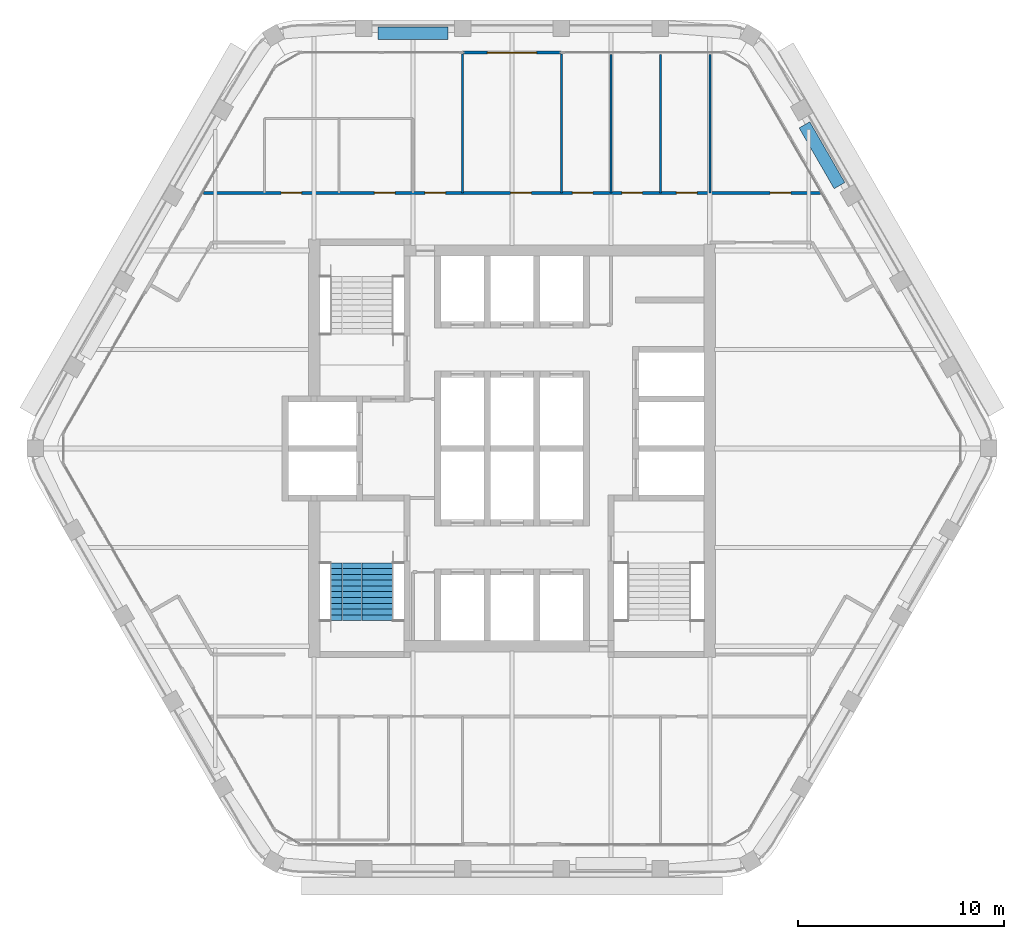
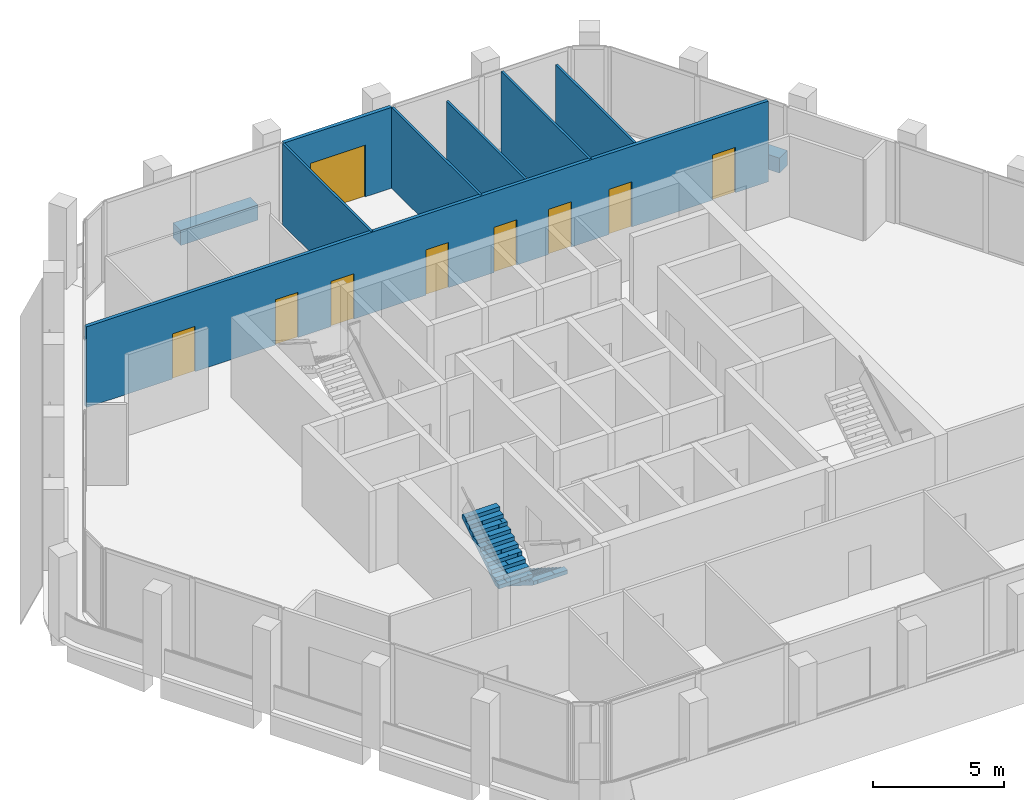
# One storey, part 10 of 13: 9 doors, 9 walls, 2 stair flights, 9 openings, 1 element without a shape of its own.
"""IFC4 building model written with IfcOpenShell, lengths in metres."""

from ifc_helpers import new_model, si_unit, direction, frame, frame_2d, origin, place, context, subcontext, project, spatial, polyline, rectangle, outline, extrude, material, layer, layer_set, type_object, element, fill, aggregate, save


model = new_model("IFC4")

# Units and contexts
model_context = context("Model", 3, precision=1e-05, world=origin(), true_north=direction((0.0, 1.0)))
body_context = subcontext(model_context, "Body", "Model", "MODEL_VIEW")
ifc_project = project(units=[si_unit("LENGTHUNIT", "METRE"), si_unit("AREAUNIT", "SQUARE_METRE"), si_unit("VOLUMEUNIT", "CUBIC_METRE"), si_unit("PLANEANGLEUNIT", "RADIAN"), si_unit("MASSUNIT", "GRAM", prefix="KILO")], contexts=[model_context])

# Site, building, storey
site_placement = place(None, origin())
site = spatial("IfcSite", under=ifc_project, at=site_placement, CompositionType="ELEMENT")
building_placement = place(site_placement, origin())
building = spatial("IfcBuilding", under=site, at=building_placement, Name="Kolab Exchange Tower", CompositionType="ELEMENT")
storey_placement = place(building_placement, frame((0.0, 0.0, 226.699951171875)))
storey = spatial("IfcBuildingStorey", under=building, at=storey_placement, Name="L49", CompositionType="ELEMENT", Elevation=226.699951171875)

# Wall, opening, door
ifc_material_1 = material(Name="Aluminium EN AW-6063 T6", Category="aluminium")
ifc_layer_1 = layer(ifc_material_1, 0.159912109375)
ifc_layer_set_1 = layer_set([ifc_layer_1], Name="Aluminium EN AW-6063 T6")
wall_type_1 = type_object("IfcWallType", Name="DOOR SURROUND WALL 160 ALUMINIUM FRAMED", PredefinedType="PARTITIONING", material=ifc_layer_set_1)
wall_1_placement = place(storey_placement, frame((-2.3701171875, 19.20458984375, 0.0), z_axis=(0.0, 0.0, 1.0), x_axis=(1.0, 0.0, 0.0)))
wall_1 = element("IfcWall", 1, at=wall_1_placement, inside=storey, type_object=wall_type_1, Name="Door surround wall", PredefinedType="PARTITIONING", context=body_context, shape_type="SweptSolid", body=[
    extrude(rectangle(XDim=4.740234375, YDim=0.159912109375, at=frame_2d((2.3701171875, 0.0))), origin(), (0.0, 0.0, 1.0), 3.75),
])
opening_1_placement = place(wall_1_placement, frame((1.169921875, 0.0, 0.0)))
opening_1 = element("IfcOpeningElement", 2, at=opening_1_placement, cuts=wall_1, Name="Opening GD1-089", PredefinedType="OPENING", context=body_context, shape_type="SweptSolid", body=[
    extrude(rectangle(XDim=2.39990234375, YDim=2.39990234375, at=frame_2d((1.199951171875, 1.199951171875))), frame((0.0, 0.08984375, 0.0), z_axis=(0.0, -1.0, 0.0), x_axis=(1.0, 0.0, 0.0)), (0.0, 0.0, 1.0), 0.179931640625),
])
door_type_1 = type_object("IfcDoorType", Name="LOGGIA SLIDING GLASS DOOR 2400 X 2400", OperationType="DOUBLE_DOOR_SINGLE_SWING", PredefinedType="DOOR", material=ifc_material_1)
door_1_placement = place(opening_1_placement, origin())
door_1 = element("IfcDoor", 3, at=door_1_placement, inside=storey, type_object=door_type_1, Name="Loggia door", OperationType="DOUBLE_DOOR_SLIDING", OverallHeight=2.39990234375, OverallWidth=2.39990234375, PredefinedType="DOOR", context=body_context, shape_type="SweptSolid", body=[
    extrude(rectangle(XDim=2.39990234375, YDim=2.39990234375, at=frame_2d((1.199951171875, 1.199951171875))), frame((0.0, 0.02490234375, 0.0), z_axis=(0.0, -1.0, 0.0), x_axis=(1.0, 0.0, 0.0)), (0.0, 0.0, 1.0), 0.050048828125),
])
fill(opening_1, door_1)

# Walls
ifc_material_2 = material(Name="Gypsum board", Category="gypsum")
ifc_layer_2 = layer(ifc_material_2, 0.10009765625)
ifc_layer_set_2 = layer_set([ifc_layer_2], Name="Gypsum board")
wall_type_2 = type_object("IfcWallType", Name="PARTITION 100", PredefinedType="PARTITIONING", material=ifc_layer_set_2)
wall_2_placement = place(storey_placement, frame((9.60009765625, 12.39990234375, 0.0), z_axis=(0.0, 0.0, 1.0), x_axis=(0.0, 1.0, 0.0)))
element("IfcWall", 4, at=wall_2_placement, inside=storey, type_object=wall_type_2, Name="Partition 000", PredefinedType="PARTITIONING", context=body_context, shape_type="SweptSolid", body=[
    extrude(rectangle(XDim=6.714599609375, YDim=0.10009765625, at=frame_2d((3.357421875, 0.0))), origin(), (0.0, 0.0, 1.0), 3.217041015625),
])
wall_3_placement = place(storey_placement, frame((7.199951171875, 12.39990234375, 0.0), z_axis=(0.0, 0.0, 1.0), x_axis=(0.0, 1.0, 0.0)))
element("IfcWall", 5, at=wall_3_placement, inside=storey, type_object=wall_type_2, Name="Partition 002", PredefinedType="PARTITIONING", context=body_context, shape_type="SweptSolid", body=[
    extrude(rectangle(XDim=6.714599609375, YDim=0.10009765625, at=frame_2d((3.357421875, 0.0))), origin(), (0.0, 0.0, 1.0), 3.75),
])
wall_4_placement = place(storey_placement, frame((4.800048828125, 12.39990234375, 0.0), z_axis=(0.0, 0.0, 1.0), x_axis=(0.0, 1.0, 0.0)))
element("IfcWall", 6, at=wall_4_placement, inside=storey, type_object=wall_type_2, Name="Partition 003", PredefinedType="PARTITIONING", context=body_context, shape_type="SweptSolid", body=[
    extrude(rectangle(XDim=6.714599609375, YDim=0.10009765625, at=frame_2d((3.357421875, 0.0))), origin(), (0.0, 0.0, 1.0), 3.217041015625),
])
for number, where, z_axis, x_axis, name in (
    (7, (2.39990234375, 12.39990234375, 0.0), (0.0, 0.0, 1.0), (0.0, 1.0, 0.0), "Partition 005"),
    (8, (-2.39990234375, 12.39990234375, 0.0), (0.0, 0.0, 1.0), (0.0, 1.0, 0.0), "Partition 007"),
):
    element("IfcWall", number, at=place(storey_placement, frame(where, z_axis=z_axis, x_axis=x_axis)), inside=storey, type_object=wall_type_2, Name=name, PredefinedType="PARTITIONING", context=body_context, shape_type="SweptSolid", body=[
        extrude(rectangle(XDim=6.724609375, YDim=0.10009765625, at=frame_2d((3.3623046875, 0.0))), origin(), (0.0, 0.0, 1.0), 3.75),
    ])

# Wall, openings, doors
ifc_layer_3 = layer(ifc_material_2, 0.14990234375)
ifc_layer_set_3 = layer_set([ifc_layer_3], Name="Gypsum board")
wall_type_3 = type_object("IfcWallType", Name="PARTITION 150 FIRE-RATED", PredefinedType="PARTITIONING", material=ifc_layer_set_3)
wall_5_placement = place(storey_placement, frame((-14.97021484375, 12.39990234375, 0.0), z_axis=(0.0, 0.0, 1.0), x_axis=(1.0, 0.0, 0.0)))
wall_5 = element("IfcWall", 9, at=wall_5_placement, inside=storey, type_object=wall_type_3, Name="Partition 030", PredefinedType="PARTITIONING", context=body_context, shape_type="SweptSolid", body=[
    extrude(rectangle(XDim=29.9404296875, YDim=0.14990234375, at=frame_2d((14.97021484375, 0.0))), origin(), (0.0, 0.0, 1.0), 3.75),
])
opening_2_placement = place(wall_5_placement, frame((3.770263671875, 0.0, 0.0)))
opening_2 = element("IfcOpeningElement", 10, at=opening_2_placement, cuts=wall_5, Name="Opening D1-643", PredefinedType="OPENING", context=body_context, shape_type="SweptSolid", body=[
    extrude(rectangle(XDim=1.0, YDim=2.10009765625, at=frame_2d((0.5, 1.050048828125))), frame((0.0, 0.0849609375, 0.0), z_axis=(0.0, -1.0, 0.0), x_axis=(1.0, 0.0, 0.0)), (0.0, 0.0, 1.0), 0.169921875),
])
opening_3_placement = place(wall_5_placement, frame((8.295166015625, 0.0, 0.0)))
opening_3 = element("IfcOpeningElement", 11, at=opening_3_placement, cuts=wall_5, Name="Opening D1-644", PredefinedType="OPENING", context=body_context, shape_type="SweptSolid", body=[
    extrude(rectangle(XDim=1.0, YDim=2.10009765625, at=frame_2d((0.5, 1.050048828125))), frame((0.0, 0.0849609375, 0.0), z_axis=(0.0, -1.0, 0.0), x_axis=(1.0, 0.0, 0.0)), (0.0, 0.0, 1.0), 0.169921875),
])
opening_4_placement = place(wall_5_placement, frame((10.7451171875, 0.0, 0.0)))
opening_4 = element("IfcOpeningElement", 12, at=opening_4_placement, cuts=wall_5, Name="Opening D1-645", PredefinedType="OPENING", context=body_context, shape_type="SweptSolid", body=[
    extrude(rectangle(XDim=1.0, YDim=2.10009765625, at=frame_2d((0.5, 1.050048828125))), frame((0.0, 0.0849609375, 0.0), z_axis=(0.0, -1.0, 0.0), x_axis=(1.0, 0.0, 0.0)), (0.0, 0.0, 1.0), 0.169921875),
])
opening_5_placement = place(wall_5_placement, frame((14.9052734375, 0.0, 0.0)))
opening_5 = element("IfcOpeningElement", 13, at=opening_5_placement, cuts=wall_5, Name="Opening D1-646", PredefinedType="OPENING", context=body_context, shape_type="SweptSolid", body=[
    extrude(rectangle(XDim=1.0, YDim=2.10009765625, at=frame_2d((0.5, 1.050048828125))), frame((0.0, 0.0849609375, 0.0), z_axis=(0.0, -1.0, 0.0), x_axis=(1.0, 0.0, 0.0)), (0.0, 0.0, 1.0), 0.169921875),
])
opening_6_placement = place(wall_5_placement, frame((17.895263671875, 0.0, 0.0)))
opening_6 = element("IfcOpeningElement", 14, at=opening_6_placement, cuts=wall_5, Name="Opening D1-647", PredefinedType="OPENING", context=body_context, shape_type="SweptSolid", body=[
    extrude(rectangle(XDim=1.0, YDim=2.10009765625, at=frame_2d((0.5, 1.050048828125))), frame((0.0, 0.0849609375, 0.0), z_axis=(0.0, -1.0, 0.0), x_axis=(1.0, 0.0, 0.0)), (0.0, 0.0, 1.0), 0.169921875),
])
opening_7_placement = place(wall_5_placement, frame((20.295166015625, 0.0, 0.0)))
opening_7 = element("IfcOpeningElement", 15, at=opening_7_placement, cuts=wall_5, Name="Opening D1-648", PredefinedType="OPENING", context=body_context, shape_type="SweptSolid", body=[
    extrude(rectangle(XDim=1.0, YDim=2.10009765625, at=frame_2d((0.5, 1.050048828125))), frame((0.0, 0.0849609375, 0.0), z_axis=(0.0, -1.0, 0.0), x_axis=(1.0, 0.0, 0.0)), (0.0, 0.0, 1.0), 0.169921875),
])
opening_8_placement = place(wall_5_placement, frame((22.9453125, 0.0, 0.0)))
opening_8 = element("IfcOpeningElement", 16, at=opening_8_placement, cuts=wall_5, Name="Opening D1-649", PredefinedType="OPENING", context=body_context, shape_type="SweptSolid", body=[
    extrude(rectangle(XDim=1.0, YDim=2.10009765625, at=frame_2d((0.5, 1.050048828125))), frame((0.0, 0.0849609375, 0.0), z_axis=(0.0, -1.0, 0.0), x_axis=(1.0, 0.0, 0.0)), (0.0, 0.0, 1.0), 0.169921875),
])
opening_9_placement = place(wall_5_placement, frame((27.49658203125, 0.0, 0.0)))
opening_9 = element("IfcOpeningElement", 17, at=opening_9_placement, cuts=wall_5, Name="Opening D1-650", PredefinedType="OPENING", context=body_context, shape_type="SweptSolid", body=[
    extrude(rectangle(XDim=1.0, YDim=2.10009765625, at=frame_2d((0.5, 1.050048828125))), frame((0.0, 0.0849609375, 0.0), z_axis=(0.0, -1.0, 0.0), x_axis=(1.0, 0.0, 0.0)), (0.0, 0.0, 1.0), 0.169921875),
])
ifc_material_3 = material(Name="Steel S235", Category="steel")
door_type_2 = type_object("IfcDoorType", Name="FLUSH DOOR 1000 FD60", OperationType="SINGLE_SWING_LEFT", PredefinedType="DOOR", material=ifc_material_3)
door_2_placement = place(opening_2_placement, origin())
door_2 = element("IfcDoor", 18, at=door_2_placement, inside=storey, type_object=door_type_2, Name="Door L49-029", OperationType="SINGLE_SWING_LEFT", OverallHeight=2.10009765625, OverallWidth=1.0, PredefinedType="DOOR", context=body_context, shape_type="SweptSolid", body=[
    extrude(rectangle(XDim=1.0, YDim=2.10009765625, at=frame_2d((0.5, 1.050048828125))), frame((0.0, 0.02490234375, 0.0), z_axis=(0.0, -1.0, 0.0), x_axis=(1.0, 0.0, 0.0)), (0.0, 0.0, 1.0), 0.050048828125),
])
fill(opening_2, door_2)
door_3_placement = place(opening_3_placement, origin())
door_3 = element("IfcDoor", 19, at=door_3_placement, inside=storey, type_object=door_type_2, Name="Door L49-030", OperationType="SINGLE_SWING_RIGHT", OverallHeight=2.10009765625, OverallWidth=1.0, PredefinedType="DOOR", context=body_context, shape_type="SweptSolid", body=[
    extrude(rectangle(XDim=1.0, YDim=2.10009765625, at=frame_2d((0.5, 1.050048828125))), frame((0.0, 0.02490234375, 0.0), z_axis=(0.0, -1.0, 0.0), x_axis=(1.0, 0.0, 0.0)), (0.0, 0.0, 1.0), 0.050048828125),
])
fill(opening_3, door_3)
door_4_placement = place(opening_4_placement, origin())
door_4 = element("IfcDoor", 20, at=door_4_placement, inside=storey, type_object=door_type_2, Name="Door L49-031", OperationType="SINGLE_SWING_LEFT", OverallHeight=2.10009765625, OverallWidth=1.0, PredefinedType="DOOR", context=body_context, shape_type="SweptSolid", body=[
    extrude(rectangle(XDim=1.0, YDim=2.10009765625, at=frame_2d((0.5, 1.050048828125))), frame((0.0, 0.02490234375, 0.0), z_axis=(0.0, -1.0, 0.0), x_axis=(1.0, 0.0, 0.0)), (0.0, 0.0, 1.0), 0.050048828125),
])
fill(opening_4, door_4)
door_5_placement = place(opening_5_placement, origin())
door_5 = element("IfcDoor", 21, at=door_5_placement, inside=storey, type_object=door_type_2, Name="Door L49-032", OperationType="SINGLE_SWING_RIGHT", OverallHeight=2.10009765625, OverallWidth=1.0, PredefinedType="DOOR", context=body_context, shape_type="SweptSolid", body=[
    extrude(rectangle(XDim=1.0, YDim=2.10009765625, at=frame_2d((0.5, 1.050048828125))), frame((0.0, 0.02490234375, 0.0), z_axis=(0.0, -1.0, 0.0), x_axis=(1.0, 0.0, 0.0)), (0.0, 0.0, 1.0), 0.050048828125),
])
fill(opening_5, door_5)
door_6_placement = place(opening_6_placement, origin())
door_6 = element("IfcDoor", 22, at=door_6_placement, inside=storey, type_object=door_type_2, Name="Door L49-033", OperationType="SINGLE_SWING_LEFT", OverallHeight=2.10009765625, OverallWidth=1.0, PredefinedType="DOOR", context=body_context, shape_type="SweptSolid", body=[
    extrude(rectangle(XDim=1.0, YDim=2.10009765625, at=frame_2d((0.5, 1.050048828125))), frame((0.0, 0.02490234375, 0.0), z_axis=(0.0, -1.0, 0.0), x_axis=(1.0, 0.0, 0.0)), (0.0, 0.0, 1.0), 0.050048828125),
])
fill(opening_6, door_6)
door_7_placement = place(opening_7_placement, origin())
door_7 = element("IfcDoor", 23, at=door_7_placement, inside=storey, type_object=door_type_2, Name="Door L49-034", OperationType="SINGLE_SWING_LEFT", OverallHeight=2.10009765625, OverallWidth=1.0, PredefinedType="DOOR", context=body_context, shape_type="SweptSolid", body=[
    extrude(rectangle(XDim=1.0, YDim=2.10009765625, at=frame_2d((0.5, 1.050048828125))), frame((0.0, 0.02490234375, 0.0), z_axis=(0.0, -1.0, 0.0), x_axis=(1.0, 0.0, 0.0)), (0.0, 0.0, 1.0), 0.050048828125),
])
fill(opening_7, door_7)
door_8_placement = place(opening_8_placement, origin())
door_8 = element("IfcDoor", 24, at=door_8_placement, inside=storey, type_object=door_type_2, Name="Door L49-035", OperationType="SINGLE_SWING_RIGHT", OverallHeight=2.10009765625, OverallWidth=1.0, PredefinedType="DOOR", context=body_context, shape_type="SweptSolid", body=[
    extrude(rectangle(XDim=1.0, YDim=2.10009765625, at=frame_2d((0.5, 1.050048828125))), frame((0.0, 0.02490234375, 0.0), z_axis=(0.0, -1.0, 0.0), x_axis=(1.0, 0.0, 0.0)), (0.0, 0.0, 1.0), 0.050048828125),
])
fill(opening_8, door_8)
door_9_placement = place(opening_9_placement, origin())
door_9 = element("IfcDoor", 25, at=door_9_placement, inside=storey, type_object=door_type_2, Name="Door L49-036", OperationType="SINGLE_SWING_RIGHT", OverallHeight=2.10009765625, OverallWidth=1.0, PredefinedType="DOOR", context=body_context, shape_type="SweptSolid", body=[
    extrude(rectangle(XDim=1.0, YDim=2.10009765625, at=frame_2d((0.5, 1.050048828125))), frame((0.0, 0.02490234375, 0.0), z_axis=(0.0, -1.0, 0.0), x_axis=(1.0, 0.0, 0.0)), (0.0, 0.0, 1.0), 0.050048828125),
])
fill(opening_9, door_9)

# Walls
ifc_material_4 = material(Name="Granite facing", Category="masonry")
ifc_layer_4 = layer(ifc_material_4, 0.0400390625)
ifc_material_5 = material(Name="Concrete C40/50 precast", Category="concrete")
ifc_layer_5 = layer(ifc_material_5, 0.56005859375)
ifc_layer_set_4 = layer_set([ifc_layer_4, ifc_layer_5], Name="Concrete C40/50 precast")
wall_type_4 = type_object("IfcWallType", Name="PLANTER BOX 600 X 700 SOIL DEPTH 550", PredefinedType="USERDEFINED", material=ifc_layer_set_4)
wall_6_placement = place(storey_placement, frame((-6.5, 20.134521484375, 0.0), z_axis=(0.0, 0.0, 1.0), x_axis=(1.0, 0.0, 0.0)))
element("IfcWall", 26, at=wall_6_placement, inside=storey, type_object=wall_type_4, Name="Planter", ObjectType="PLANTER", PredefinedType="USERDEFINED", context=body_context, shape_type="SweptSolid", body=[
    extrude(rectangle(XDim=3.39990234375, YDim=0.60009765625, at=frame_2d((1.699951171875, 0.0))), origin(), (0.0, 0.0, 1.0), 0.699951171875),
])
wall_7_placement = place(storey_placement, frame((14.18701171875, 15.696533203125, 0.0), z_axis=(0.0, 0.0, 1.0), x_axis=(0.499977295307, -0.866038511948, 0.0)))
element("IfcWall", 27, at=wall_7_placement, inside=storey, type_object=wall_type_4, Name="Planter", ObjectType="PLANTER", PredefinedType="USERDEFINED", context=body_context, shape_type="SweptSolid", body=[
    extrude(rectangle(XDim=3.400146484375, YDim=0.60009765625, at=frame_2d((1.7001953125, 0.0))), origin(), (0.0, 0.0, 1.0), 0.699951171875),
])

# Stair, stair flights
ifc_material_6 = material(Name="Concrete C50/60", Category="concrete")
stair_type = type_object("IfcStairType", Name="STAIR ST3 RISER 177.3", PredefinedType="HALF_TURN_STAIR", material=ifc_material_6)
stair_placement = place(storey_placement, origin())
stair = element("IfcStair", 28, at=stair_placement, inside=storey, type_object=stair_type, Name="Stair 3", PredefinedType="HALF_TURN_STAIR")
stair_flight_type = type_object("IfcStairFlightType", Name="STAIR FLIGHT 1500 RISER 177.3", PredefinedType="STRAIGHT", material=ifc_material_6)
stair_flight_1_placement = place(storey_placement, frame((-6.527587890625, -5.550048828125, 0.0), z_axis=(0.0, 0.0, 1.0), x_axis=(0.0, -1.0, 0.0)))
stair_flight_1 = element("IfcStairFlight", 29, at=stair_flight_1_placement, type_object=stair_flight_type, Name="ST3 flight 1", NumberOfRisers=11, NumberOfTreads=10, PredefinedType="STRAIGHT", RiserHeight=0.177272727, TreadLength=0.28, context=body_context, shape_type="SweptSolid", body=[
    extrude(outline(polyline([(0.0, 0.0), (0.0, 0.17724609375), (0.280029296875, 0.17724609375), (0.280029296875, 0.3544921875), (0.56005859375, 0.3544921875), (0.56005859375, 0.53173828125), (0.840087890625, 0.53173828125), (0.840087890625, 0.708984375), (1.1201171875, 0.708984375), (1.1201171875, 0.886474609375), (1.39990234375, 0.886474609375), (1.39990234375, 1.063720703125), (1.679931640625, 1.063720703125), (1.679931640625, 1.240966796875), (1.9599609375, 1.240966796875), (1.9599609375, 1.418212890625), (2.239990234375, 1.418212890625), (2.239990234375, 1.595458984375), (2.52001953125, 1.595458984375), (2.52001953125, 1.772705078125), (2.800048828125, 1.772705078125), (2.800048828125, 1.949951171875), (2.800048828125, 1.59521484375), (0.2802734375, 0.0), (0.0, 0.0)])), frame((0.0, 0.75, 0.0), z_axis=(0.0, -1.0, 0.0), x_axis=(1.0, 0.0, 0.0)), (0.0, 0.0, 1.0), 0.185791015625),
    extrude(outline(polyline([(0.0, 0.0), (0.0, 0.17724609375), (0.280029296875, 0.17724609375), (0.280029296875, 0.3544921875), (0.56005859375, 0.3544921875), (0.56005859375, 0.53173828125), (0.840087890625, 0.53173828125), (0.840087890625, 0.708984375), (1.1201171875, 0.708984375), (1.1201171875, 0.886474609375), (1.39990234375, 0.886474609375), (1.39990234375, 1.063720703125), (1.679931640625, 1.063720703125), (1.679931640625, 1.240966796875), (1.9599609375, 1.240966796875), (1.9599609375, 1.418212890625), (2.239990234375, 1.418212890625), (2.239990234375, 1.595458984375), (2.52001953125, 1.595458984375), (2.52001953125, 1.772705078125), (2.800048828125, 1.772705078125), (2.800048828125, 1.949951171875), (2.800048828125, 1.59521484375), (0.2802734375, 0.0), (0.0, 0.0)])), frame((0.0, 0.562255859375, 0.0), z_axis=(0.0, -1.0, 0.0), x_axis=(1.0, 0.0, 0.0)), (0.0, 0.0, 1.0), 0.185791015625),
    extrude(outline(polyline([(0.0, 0.0), (0.0, 0.17724609375), (0.280029296875, 0.17724609375), (0.280029296875, 0.3544921875), (0.56005859375, 0.3544921875), (0.56005859375, 0.53173828125), (0.840087890625, 0.53173828125), (0.840087890625, 0.708984375), (1.1201171875, 0.708984375), (1.1201171875, 0.886474609375), (1.39990234375, 0.886474609375), (1.39990234375, 1.063720703125), (1.679931640625, 1.063720703125), (1.679931640625, 1.240966796875), (1.9599609375, 1.240966796875), (1.9599609375, 1.418212890625), (2.239990234375, 1.418212890625), (2.239990234375, 1.595458984375), (2.52001953125, 1.595458984375), (2.52001953125, 1.772705078125), (2.800048828125, 1.772705078125), (2.800048828125, 1.949951171875), (2.800048828125, 1.59521484375), (0.2802734375, 0.0), (0.0, 0.0)])), frame((0.0, 0.37451171875, 0.0), z_axis=(0.0, -1.0, 0.0), x_axis=(1.0, 0.0, 0.0)), (0.0, 0.0, 1.0), 0.185791015625),
    extrude(outline(polyline([(0.0, 0.0), (0.0, 0.17724609375), (0.280029296875, 0.17724609375), (0.280029296875, 0.3544921875), (0.56005859375, 0.3544921875), (0.56005859375, 0.53173828125), (0.840087890625, 0.53173828125), (0.840087890625, 0.708984375), (1.1201171875, 0.708984375), (1.1201171875, 0.886474609375), (1.39990234375, 0.886474609375), (1.39990234375, 1.063720703125), (1.679931640625, 1.063720703125), (1.679931640625, 1.240966796875), (1.9599609375, 1.240966796875), (1.9599609375, 1.418212890625), (2.239990234375, 1.418212890625), (2.239990234375, 1.595458984375), (2.52001953125, 1.595458984375), (2.52001953125, 1.772705078125), (2.800048828125, 1.772705078125), (2.800048828125, 1.949951171875), (2.800048828125, 1.59521484375), (0.2802734375, 0.0), (0.0, 0.0)])), frame((0.0, 0.186767578125, 0.0), z_axis=(0.0, -1.0, 0.0), x_axis=(1.0, 0.0, 0.0)), (0.0, 0.0, 1.0), 0.185791015625),
    extrude(outline(polyline([(0.0, 0.0), (0.0, 0.17724609375), (0.280029296875, 0.17724609375), (0.280029296875, 0.3544921875), (0.56005859375, 0.3544921875), (0.56005859375, 0.53173828125), (0.840087890625, 0.53173828125), (0.840087890625, 0.708984375), (1.1201171875, 0.708984375), (1.1201171875, 0.886474609375), (1.39990234375, 0.886474609375), (1.39990234375, 1.063720703125), (1.679931640625, 1.063720703125), (1.679931640625, 1.240966796875), (1.9599609375, 1.240966796875), (1.9599609375, 1.418212890625), (2.239990234375, 1.418212890625), (2.239990234375, 1.595458984375), (2.52001953125, 1.595458984375), (2.52001953125, 1.772705078125), (2.800048828125, 1.772705078125), (2.800048828125, 1.949951171875), (2.800048828125, 1.59521484375), (0.2802734375, 0.0), (0.0, 0.0)])), frame((0.0, -0.0009765625, 0.0), z_axis=(0.0, -1.0, 0.0), x_axis=(1.0, 0.0, 0.0)), (0.0, 0.0, 1.0), 0.185791015625),
    extrude(outline(polyline([(0.0, 0.0), (0.0, 0.17724609375), (0.280029296875, 0.17724609375), (0.280029296875, 0.3544921875), (0.56005859375, 0.3544921875), (0.56005859375, 0.53173828125), (0.840087890625, 0.53173828125), (0.840087890625, 0.708984375), (1.1201171875, 0.708984375), (1.1201171875, 0.886474609375), (1.39990234375, 0.886474609375), (1.39990234375, 1.063720703125), (1.679931640625, 1.063720703125), (1.679931640625, 1.240966796875), (1.9599609375, 1.240966796875), (1.9599609375, 1.418212890625), (2.239990234375, 1.418212890625), (2.239990234375, 1.595458984375), (2.52001953125, 1.595458984375), (2.52001953125, 1.772705078125), (2.800048828125, 1.772705078125), (2.800048828125, 1.949951171875), (2.800048828125, 1.59521484375), (0.2802734375, 0.0), (0.0, 0.0)])), frame((0.0, -0.188720703125, 0.0), z_axis=(0.0, -1.0, 0.0), x_axis=(1.0, 0.0, 0.0)), (0.0, 0.0, 1.0), 0.185791015625),
    extrude(outline(polyline([(0.0, 0.0), (0.0, 0.17724609375), (0.280029296875, 0.17724609375), (0.280029296875, 0.3544921875), (0.56005859375, 0.3544921875), (0.56005859375, 0.53173828125), (0.840087890625, 0.53173828125), (0.840087890625, 0.708984375), (1.1201171875, 0.708984375), (1.1201171875, 0.886474609375), (1.39990234375, 0.886474609375), (1.39990234375, 1.063720703125), (1.679931640625, 1.063720703125), (1.679931640625, 1.240966796875), (1.9599609375, 1.240966796875), (1.9599609375, 1.418212890625), (2.239990234375, 1.418212890625), (2.239990234375, 1.595458984375), (2.52001953125, 1.595458984375), (2.52001953125, 1.772705078125), (2.800048828125, 1.772705078125), (2.800048828125, 1.949951171875), (2.800048828125, 1.59521484375), (0.2802734375, 0.0), (0.0, 0.0)])), frame((0.0, -0.37646484375, 0.0), z_axis=(0.0, -1.0, 0.0), x_axis=(1.0, 0.0, 0.0)), (0.0, 0.0, 1.0), 0.185791015625),
    extrude(outline(polyline([(0.0, 0.0), (0.0, 0.17724609375), (0.280029296875, 0.17724609375), (0.280029296875, 0.3544921875), (0.56005859375, 0.3544921875), (0.56005859375, 0.53173828125), (0.840087890625, 0.53173828125), (0.840087890625, 0.708984375), (1.1201171875, 0.708984375), (1.1201171875, 0.886474609375), (1.39990234375, 0.886474609375), (1.39990234375, 1.063720703125), (1.679931640625, 1.063720703125), (1.679931640625, 1.240966796875), (1.9599609375, 1.240966796875), (1.9599609375, 1.418212890625), (2.239990234375, 1.418212890625), (2.239990234375, 1.595458984375), (2.52001953125, 1.595458984375), (2.52001953125, 1.772705078125), (2.800048828125, 1.772705078125), (2.800048828125, 1.949951171875), (2.800048828125, 1.59521484375), (0.2802734375, 0.0), (0.0, 0.0)])), frame((0.0, -0.564208984375, 0.0), z_axis=(0.0, -1.0, 0.0), x_axis=(1.0, 0.0, 0.0)), (0.0, 0.0, 1.0), 0.185791015625),
])
stair_flight_2_placement = place(storey_placement, frame((-8.047607421875, -8.35009765625, 1.949951171875), z_axis=(0.0, 0.0, 1.0), x_axis=(0.0, 1.0, 0.0)))
stair_flight_2 = element("IfcStairFlight", 30, at=stair_flight_2_placement, type_object=stair_flight_type, Name="ST3 flight 2", NumberOfRisers=11, NumberOfTreads=10, PredefinedType="STRAIGHT", RiserHeight=0.177272727, TreadLength=0.28, context=body_context, shape_type="SweptSolid", body=[
    extrude(outline(polyline([(0.0, 0.0), (0.0, 0.17724609375), (0.280029296875, 0.17724609375), (0.280029296875, 0.3544921875), (0.56005859375, 0.3544921875), (0.56005859375, 0.53173828125), (0.840087890625, 0.53173828125), (0.840087890625, 0.708984375), (1.1201171875, 0.708984375), (1.1201171875, 0.886474609375), (1.39990234375, 0.886474609375), (1.39990234375, 1.063720703125), (1.679931640625, 1.063720703125), (1.679931640625, 1.240966796875), (1.9599609375, 1.240966796875), (1.9599609375, 1.418212890625), (2.239990234375, 1.418212890625), (2.239990234375, 1.595458984375), (2.52001953125, 1.595458984375), (2.52001953125, 1.772705078125), (2.800048828125, 1.772705078125), (2.800048828125, 1.949951171875), (2.800048828125, 1.59521484375), (0.2802734375, 0.0), (0.0, 0.0)])), frame((0.0, 0.75, 0.0), z_axis=(0.0, -1.0, 0.0), x_axis=(1.0, 0.0, 0.0)), (0.0, 0.0, 1.0), 0.185791015625),
    extrude(outline(polyline([(0.0, 0.0), (0.0, 0.17724609375), (0.280029296875, 0.17724609375), (0.280029296875, 0.3544921875), (0.56005859375, 0.3544921875), (0.56005859375, 0.53173828125), (0.840087890625, 0.53173828125), (0.840087890625, 0.708984375), (1.1201171875, 0.708984375), (1.1201171875, 0.886474609375), (1.39990234375, 0.886474609375), (1.39990234375, 1.063720703125), (1.679931640625, 1.063720703125), (1.679931640625, 1.240966796875), (1.9599609375, 1.240966796875), (1.9599609375, 1.418212890625), (2.239990234375, 1.418212890625), (2.239990234375, 1.595458984375), (2.52001953125, 1.595458984375), (2.52001953125, 1.772705078125), (2.800048828125, 1.772705078125), (2.800048828125, 1.949951171875), (2.800048828125, 1.59521484375), (0.2802734375, 0.0), (0.0, 0.0)])), frame((0.0, 0.562255859375, 0.0), z_axis=(0.0, -1.0, 0.0), x_axis=(1.0, 0.0, 0.0)), (0.0, 0.0, 1.0), 0.185791015625),
    extrude(outline(polyline([(0.0, 0.0), (0.0, 0.17724609375), (0.280029296875, 0.17724609375), (0.280029296875, 0.3544921875), (0.56005859375, 0.3544921875), (0.56005859375, 0.53173828125), (0.840087890625, 0.53173828125), (0.840087890625, 0.708984375), (1.1201171875, 0.708984375), (1.1201171875, 0.886474609375), (1.39990234375, 0.886474609375), (1.39990234375, 1.063720703125), (1.679931640625, 1.063720703125), (1.679931640625, 1.240966796875), (1.9599609375, 1.240966796875), (1.9599609375, 1.418212890625), (2.239990234375, 1.418212890625), (2.239990234375, 1.595458984375), (2.52001953125, 1.595458984375), (2.52001953125, 1.772705078125), (2.800048828125, 1.772705078125), (2.800048828125, 1.949951171875), (2.800048828125, 1.59521484375), (0.2802734375, 0.0), (0.0, 0.0)])), frame((0.0, 0.37451171875, 0.0), z_axis=(0.0, -1.0, 0.0), x_axis=(1.0, 0.0, 0.0)), (0.0, 0.0, 1.0), 0.185791015625),
    extrude(outline(polyline([(0.0, 0.0), (0.0, 0.17724609375), (0.280029296875, 0.17724609375), (0.280029296875, 0.3544921875), (0.56005859375, 0.3544921875), (0.56005859375, 0.53173828125), (0.840087890625, 0.53173828125), (0.840087890625, 0.708984375), (1.1201171875, 0.708984375), (1.1201171875, 0.886474609375), (1.39990234375, 0.886474609375), (1.39990234375, 1.063720703125), (1.679931640625, 1.063720703125), (1.679931640625, 1.240966796875), (1.9599609375, 1.240966796875), (1.9599609375, 1.418212890625), (2.239990234375, 1.418212890625), (2.239990234375, 1.595458984375), (2.52001953125, 1.595458984375), (2.52001953125, 1.772705078125), (2.800048828125, 1.772705078125), (2.800048828125, 1.949951171875), (2.800048828125, 1.59521484375), (0.2802734375, 0.0), (0.0, 0.0)])), frame((0.0, 0.186767578125, 0.0), z_axis=(0.0, -1.0, 0.0), x_axis=(1.0, 0.0, 0.0)), (0.0, 0.0, 1.0), 0.185791015625),
    extrude(outline(polyline([(0.0, 0.0), (0.0, 0.17724609375), (0.280029296875, 0.17724609375), (0.280029296875, 0.3544921875), (0.56005859375, 0.3544921875), (0.56005859375, 0.53173828125), (0.840087890625, 0.53173828125), (0.840087890625, 0.708984375), (1.1201171875, 0.708984375), (1.1201171875, 0.886474609375), (1.39990234375, 0.886474609375), (1.39990234375, 1.063720703125), (1.679931640625, 1.063720703125), (1.679931640625, 1.240966796875), (1.9599609375, 1.240966796875), (1.9599609375, 1.418212890625), (2.239990234375, 1.418212890625), (2.239990234375, 1.595458984375), (2.52001953125, 1.595458984375), (2.52001953125, 1.772705078125), (2.800048828125, 1.772705078125), (2.800048828125, 1.949951171875), (2.800048828125, 1.59521484375), (0.2802734375, 0.0), (0.0, 0.0)])), frame((0.0, -0.0009765625, 0.0), z_axis=(0.0, -1.0, 0.0), x_axis=(1.0, 0.0, 0.0)), (0.0, 0.0, 1.0), 0.185791015625),
    extrude(outline(polyline([(0.0, 0.0), (0.0, 0.17724609375), (0.280029296875, 0.17724609375), (0.280029296875, 0.3544921875), (0.56005859375, 0.3544921875), (0.56005859375, 0.53173828125), (0.840087890625, 0.53173828125), (0.840087890625, 0.708984375), (1.1201171875, 0.708984375), (1.1201171875, 0.886474609375), (1.39990234375, 0.886474609375), (1.39990234375, 1.063720703125), (1.679931640625, 1.063720703125), (1.679931640625, 1.240966796875), (1.9599609375, 1.240966796875), (1.9599609375, 1.418212890625), (2.239990234375, 1.418212890625), (2.239990234375, 1.595458984375), (2.52001953125, 1.595458984375), (2.52001953125, 1.772705078125), (2.800048828125, 1.772705078125), (2.800048828125, 1.949951171875), (2.800048828125, 1.59521484375), (0.2802734375, 0.0), (0.0, 0.0)])), frame((0.0, -0.188720703125, 0.0), z_axis=(0.0, -1.0, 0.0), x_axis=(1.0, 0.0, 0.0)), (0.0, 0.0, 1.0), 0.185791015625),
    extrude(outline(polyline([(0.0, 0.0), (0.0, 0.17724609375), (0.280029296875, 0.17724609375), (0.280029296875, 0.3544921875), (0.56005859375, 0.3544921875), (0.56005859375, 0.53173828125), (0.840087890625, 0.53173828125), (0.840087890625, 0.708984375), (1.1201171875, 0.708984375), (1.1201171875, 0.886474609375), (1.39990234375, 0.886474609375), (1.39990234375, 1.063720703125), (1.679931640625, 1.063720703125), (1.679931640625, 1.240966796875), (1.9599609375, 1.240966796875), (1.9599609375, 1.418212890625), (2.239990234375, 1.418212890625), (2.239990234375, 1.595458984375), (2.52001953125, 1.595458984375), (2.52001953125, 1.772705078125), (2.800048828125, 1.772705078125), (2.800048828125, 1.949951171875), (2.800048828125, 1.59521484375), (0.2802734375, 0.0), (0.0, 0.0)])), frame((0.0, -0.37646484375, 0.0), z_axis=(0.0, -1.0, 0.0), x_axis=(1.0, 0.0, 0.0)), (0.0, 0.0, 1.0), 0.185791015625),
    extrude(outline(polyline([(0.0, 0.0), (0.0, 0.17724609375), (0.280029296875, 0.17724609375), (0.280029296875, 0.3544921875), (0.56005859375, 0.3544921875), (0.56005859375, 0.53173828125), (0.840087890625, 0.53173828125), (0.840087890625, 0.708984375), (1.1201171875, 0.708984375), (1.1201171875, 0.886474609375), (1.39990234375, 0.886474609375), (1.39990234375, 1.063720703125), (1.679931640625, 1.063720703125), (1.679931640625, 1.240966796875), (1.9599609375, 1.240966796875), (1.9599609375, 1.418212890625), (2.239990234375, 1.418212890625), (2.239990234375, 1.595458984375), (2.52001953125, 1.595458984375), (2.52001953125, 1.772705078125), (2.800048828125, 1.772705078125), (2.800048828125, 1.949951171875), (2.800048828125, 1.59521484375), (0.2802734375, 0.0), (0.0, 0.0)])), frame((0.0, -0.564208984375, 0.0), z_axis=(0.0, -1.0, 0.0), x_axis=(1.0, 0.0, 0.0)), (0.0, 0.0, 1.0), 0.185791015625),
])
aggregate(stair, [stair_flight_1, stair_flight_2])

save(model, "model.ifc")
